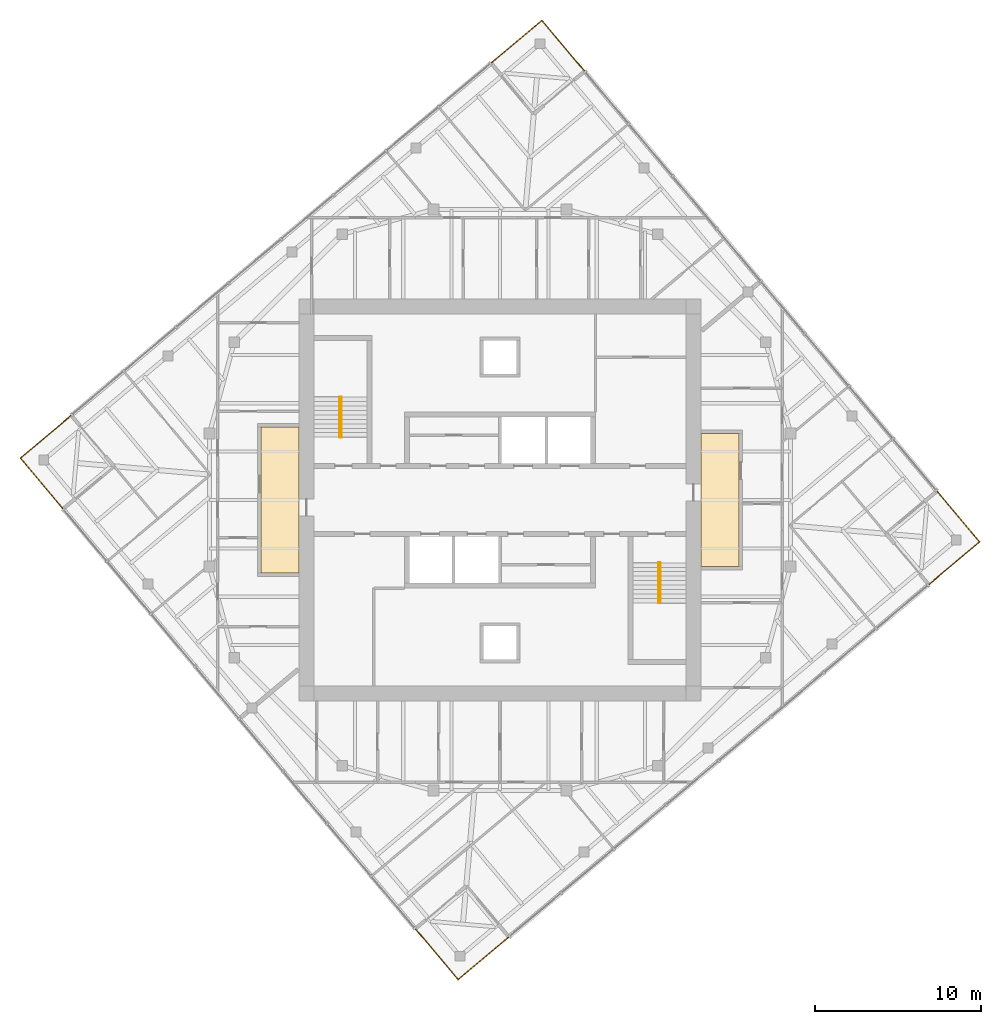
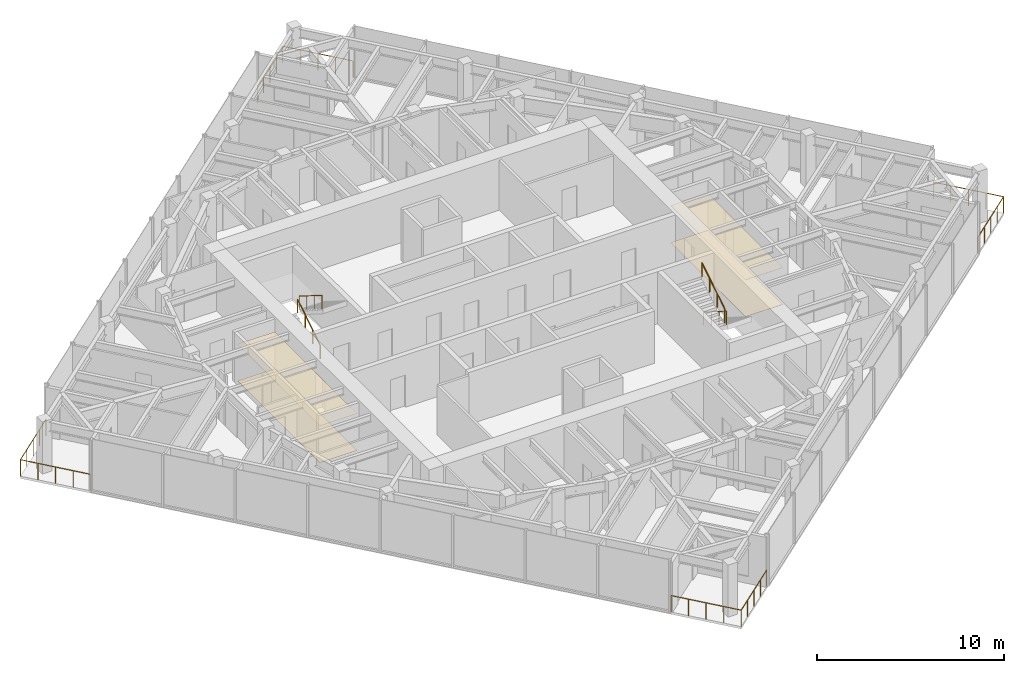
# One storey, part 12 of 12: 8 railings, 4 coverings, 2 elements without a shape of their own.
"""IFC4 building model written with IfcOpenShell, lengths in metres."""

from ifc_helpers import new_model, si_unit, direction, frame, origin, origin_2d, place, context, subcontext, project, spatial, polyline, circle, outline, extrude, material, layer, layer_set, type_object, element, aggregate, save


model = new_model("IFC4")

# Units and contexts
model_context = context("Model", 3, precision=1e-05, world=origin(), true_north=direction((0.0, 1.0)))
body_context = subcontext(model_context, "Body", "Model", "MODEL_VIEW")
ifc_project = project(units=[si_unit("LENGTHUNIT", "METRE"), si_unit("AREAUNIT", "SQUARE_METRE"), si_unit("VOLUMEUNIT", "CUBIC_METRE"), si_unit("PLANEANGLEUNIT", "RADIAN"), si_unit("MASSUNIT", "GRAM", prefix="KILO")], contexts=[model_context])

# Site, building, storey
site_placement = place(None, origin())
site = spatial("IfcSite", under=ifc_project, at=site_placement, CompositionType="ELEMENT")
building_placement = place(site_placement, origin())
building = spatial("IfcBuilding", under=site, at=building_placement, Name="Torsade Residences", CompositionType="ELEMENT")
storey_placement = place(building_placement, frame((0.0, 0.0, 279.39990234375)))
storey = spatial("IfcBuildingStorey", under=building, at=storey_placement, Name="L77", CompositionType="ELEMENT", Elevation=279.39990234375)

# Coverings
ifc_material_1 = material(Name="Nylon carpet tile on underlay", Category="textile")
ifc_layer_1 = layer(ifc_material_1, 0.010009765625)
ifc_layer_set_1 = layer_set([ifc_layer_1], Name="Nylon carpet tile on underlay")
covering_type_1 = type_object("IfcCoveringType", Name="CORRIDOR CARPET TILE 10", PredefinedType="FLOORING", material=ifc_layer_set_1)
covering_1_placement = place(storey_placement, origin())
element("IfcCovering", 1, at=covering_1_placement, inside=storey, type_object=covering_type_1, Name="Corridor carpet L77", PredefinedType="FLOORING", context=body_context, shape_type="SweptSolid", body=[
    extrude(outline(polyline([(54.39990234375, 26.0), (54.39990234375, 34.0), (52.10009765625, 34.0), (52.10009765625, 26.0), (54.39990234375, 26.0)])), origin(), (0.0, 0.0, 1.0), 0.010009765625),
])
covering_2_placement = place(storey_placement, origin())
element("IfcCovering", 2, at=covering_2_placement, inside=storey, type_object=covering_type_1, Name="Corridor carpet west L77", PredefinedType="FLOORING", context=body_context, shape_type="SweptSolid", body=[
    extrude(outline(polyline([(27.89990234375, 25.60009765625), (27.89990234375, 34.39990234375), (25.60009765625, 34.39990234375), (25.60009765625, 25.60009765625), (27.89990234375, 25.60009765625)])), origin(), (0.0, 0.0, 1.0), 0.010009765625),
])
ifc_material_2 = material(Name="Plasterboard on suspended steel grid", Category="steel")
ifc_layer_2 = layer(ifc_material_2, 0.012939453125)
ifc_layer_set_2 = layer_set([ifc_layer_2], Name="Plasterboard on suspended steel grid")
covering_type_2 = type_object("IfcCoveringType", Name="CORRIDOR SUSPENDED CEILING 13", PredefinedType="CEILING", material=ifc_layer_set_2)
covering_3_placement = place(storey_placement, frame((0.0, 0.0, 2.400146484375)))
element("IfcCovering", 3, at=covering_3_placement, inside=storey, type_object=covering_type_2, Name="Corridor ceiling L77", PredefinedType="CEILING", context=body_context, shape_type="SweptSolid", body=[
    extrude(outline(polyline([(54.39990234375, 26.0), (54.39990234375, 34.0), (52.10009765625, 34.0), (52.10009765625, 26.0), (54.39990234375, 26.0)])), origin(), (0.0, 0.0, 1.0), 0.012939453125),
])
covering_4_placement = place(storey_placement, frame((0.0, 0.0, 2.400146484375)))
element("IfcCovering", 4, at=covering_4_placement, inside=storey, type_object=covering_type_2, Name="Corridor ceiling west L77", PredefinedType="CEILING", context=body_context, shape_type="SweptSolid", body=[
    extrude(outline(polyline([(27.89990234375, 25.60009765625), (27.89990234375, 34.39990234375), (25.60009765625, 34.39990234375), (25.60009765625, 25.60009765625), (27.89990234375, 25.60009765625)])), origin(), (0.0, 0.0, 1.0), 0.012939453125),
])

# Stair, railings
ifc_material_3 = material(Name="Precast concrete 40 MPa", Category="concrete")
stair_type = type_object("IfcStairType", Name="HALF-TURN FIRE STAIR 1500x3400", PredefinedType="HALF_TURN_STAIR", material=ifc_material_3)
stair_1_placement = place(storey_placement, origin())
stair_1 = element("IfcStair", 5, at=stair_1_placement, inside=storey, type_object=stair_type, Name="Stair ST1 L77", PredefinedType="HALF_TURN_STAIR")
ifc_material_4 = material(Name="Steel handrail", Category="steel")
railing_type_1 = type_object("IfcRailingType", Name="STAIR HANDRAIL 900", PredefinedType="HANDRAIL", material=ifc_material_4)
railing_1_placement = place(storey_placement, frame((30.35009765625, 33.780029296875, 0.170166015625)))
railing_1 = element("IfcRailing", 6, at=railing_1_placement, type_object=railing_type_1, Name="Handrail ST1 flight 1 L77", PredefinedType="HANDRAIL", context=body_context, shape_type="SweptSolid", body=[
    extrude(circle(Radius=0.02392578125, at=origin_2d()), frame((0.0, 0.0, 0.8759765625), z_axis=(0.0, 0.846221481393, 0.532831309544), x_axis=(-1.0, 0.0, 0.0)), (0.0, 0.0, 1.0), 2.87158203125),
    extrude(circle(Radius=0.02099609375, at=origin_2d()), origin(), (0.0, 0.0, 1.0), 0.851806640625),
    extrude(circle(Radius=0.02099609375, at=origin_2d()), frame((0.0, 0.81005859375, 0.510009765625)), (0.0, 0.0, 1.0), 0.851806640625),
    extrude(circle(Radius=0.02099609375, at=origin_2d()), frame((0.0, 1.619873046875, 1.02001953125)), (0.0, 0.0, 1.0), 0.851806640625),
    extrude(circle(Radius=0.02099609375, at=origin_2d()), frame((0.0, 2.429931640625, 1.530029296875)), (0.0, 0.0, 1.0), 0.851806640625),
])
railing_2_placement = place(storey_placement, frame((30.449951171875, 36.2099609375, 1.8701171875)))
railing_2 = element("IfcRailing", 7, at=railing_2_placement, type_object=railing_type_1, Name="Handrail ST1 flight 2 L77", PredefinedType="HANDRAIL", context=body_context, shape_type="SweptSolid", body=[
    extrude(circle(Radius=0.02392578125, at=origin_2d()), frame((0.0, 0.0, 0.8759765625), z_axis=(0.0, -0.846221481393, 0.532831309544), x_axis=(1.0, 0.0, 0.0)), (0.0, 0.0, 1.0), 2.87158203125),
    extrude(circle(Radius=0.02099609375, at=origin_2d()), origin(), (0.0, 0.0, 1.0), 0.851806640625),
    extrude(circle(Radius=0.02099609375, at=origin_2d()), frame((0.0, -0.81005859375, 0.510009765625)), (0.0, 0.0, 1.0), 0.851806640625),
    extrude(circle(Radius=0.02099609375, at=origin_2d()), frame((0.0, -1.619873046875, 1.02001953125)), (0.0, 0.0, 1.0), 0.851806640625),
    extrude(circle(Radius=0.02099609375, at=origin_2d()), frame((0.0, -2.429931640625, 1.530029296875)), (0.0, 0.0, 1.0), 0.851806640625),
])
aggregate(stair_1, [railing_1, railing_2])

stair_2_placement = place(storey_placement, origin())
stair_2 = element("IfcStair", 8, at=stair_2_placement, inside=storey, type_object=stair_type, Name="Stair ST2 L77", PredefinedType="HALF_TURN_STAIR")
railing_3_placement = place(storey_placement, frame((49.64990234375, 26.219970703125, 0.170166015625)))
railing_3 = element("IfcRailing", 9, at=railing_3_placement, type_object=railing_type_1, Name="Handrail ST2 flight 1 L77", PredefinedType="HANDRAIL", context=body_context, shape_type="SweptSolid", body=[
    extrude(circle(Radius=0.02392578125, at=origin_2d()), frame((0.0, 0.0, 0.8759765625), z_axis=(0.0, -0.846221481393, 0.532831309544), x_axis=(1.0, 0.0, 0.0)), (0.0, 0.0, 1.0), 2.87158203125),
    extrude(circle(Radius=0.02099609375, at=origin_2d()), origin(), (0.0, 0.0, 1.0), 0.851806640625),
    extrude(circle(Radius=0.02099609375, at=origin_2d()), frame((0.0, -0.81005859375, 0.510009765625)), (0.0, 0.0, 1.0), 0.851806640625),
    extrude(circle(Radius=0.02099609375, at=origin_2d()), frame((0.0, -1.619873046875, 1.02001953125)), (0.0, 0.0, 1.0), 0.851806640625),
    extrude(circle(Radius=0.02099609375, at=origin_2d()), frame((0.0, -2.429931640625, 1.530029296875)), (0.0, 0.0, 1.0), 0.851806640625),
])
railing_4_placement = place(storey_placement, frame((49.550048828125, 23.7900390625, 1.8701171875)))
railing_4 = element("IfcRailing", 10, at=railing_4_placement, type_object=railing_type_1, Name="Handrail ST2 flight 2 L77", PredefinedType="HANDRAIL", context=body_context, shape_type="SweptSolid", body=[
    extrude(circle(Radius=0.02392578125, at=origin_2d()), frame((0.0, 0.0, 0.8759765625), z_axis=(0.0, 0.846221481393, 0.532831309544), x_axis=(-1.0, 0.0, 0.0)), (0.0, 0.0, 1.0), 2.87158203125),
    extrude(circle(Radius=0.02099609375, at=origin_2d()), origin(), (0.0, 0.0, 1.0), 0.851806640625),
    extrude(circle(Radius=0.02099609375, at=origin_2d()), frame((0.0, 0.81005859375, 0.510009765625)), (0.0, 0.0, 1.0), 0.851806640625),
    extrude(circle(Radius=0.02099609375, at=origin_2d()), frame((0.0, 1.619873046875, 1.02001953125)), (0.0, 0.0, 1.0), 0.851806640625),
    extrude(circle(Radius=0.02099609375, at=origin_2d()), frame((0.0, 2.429931640625, 1.530029296875)), (0.0, 0.0, 1.0), 0.851806640625),
])
aggregate(stair_2, [railing_3, railing_4])

# Railings
ifc_material_5 = material(Name="Laminated glass balustrade", Category="glass")
railing_type_2 = type_object("IfcRailingType", Name="TERRACE GLASS BALUSTRADE 1100", PredefinedType="BALUSTRADE", material=ifc_material_5)
railing_5_placement = place(storey_placement, frame((65.81689453125, 24.902099609375, 0.0)))
element("IfcRailing", 11, at=railing_5_placement, inside=storey, type_object=railing_type_2, Name="Terrace balustrade SE L77", PredefinedType="BALUSTRADE", context=body_context, shape_type="SweptSolid", body=[
    extrude(circle(Radius=0.02392578125, at=origin_2d()), frame((0.0, 0.0, 1.076171875), z_axis=(0.766060656284, 0.642768287094, 0.0), x_axis=(-0.642768287094, 0.766060656284, 0.0)), (0.0, 0.0, 1.0), 4.0),
    extrude(circle(Radius=0.02392578125, at=origin_2d()), frame((3.064208984375, 2.571044921875, 1.076171875), z_axis=(-0.642804103796, 0.766030602615, 0.0), x_axis=(-0.766030602615, -0.642804103796, 0.0)), (0.0, 0.0, 1.0), 4.0),
    extrude(circle(Radius=0.02099609375, at=origin_2d()), origin(), (0.0, 0.0, 1.0), 1.052001953125),
    extrude(circle(Radius=0.02099609375, at=origin_2d()), frame((0.76611328125, 0.642822265625, 0.0)), (0.0, 0.0, 1.0), 1.052001953125),
    extrude(circle(Radius=0.02099609375, at=origin_2d()), frame((1.5322265625, 1.28564453125, 0.0)), (0.0, 0.0, 1.0), 1.052001953125),
    extrude(circle(Radius=0.02099609375, at=origin_2d()), frame((2.298095703125, 1.92822265625, 0.0)), (0.0, 0.0, 1.0), 1.052001953125),
    extrude(circle(Radius=0.02099609375, at=origin_2d()), frame((3.064208984375, 2.571044921875, 0.0)), (0.0, 0.0, 1.0), 1.052001953125),
    extrude(circle(Radius=0.02099609375, at=origin_2d()), frame((2.42138671875, 3.337158203125, 0.0)), (0.0, 0.0, 1.0), 1.052001953125),
    extrude(circle(Radius=0.02099609375, at=origin_2d()), frame((1.778564453125, 4.10302734375, 0.0)), (0.0, 0.0, 1.0), 1.052001953125),
    extrude(circle(Radius=0.02099609375, at=origin_2d()), frame((1.1357421875, 4.869140625, 0.0)), (0.0, 0.0, 1.0), 1.052001953125),
    extrude(circle(Radius=0.02099609375, at=origin_2d()), frame((0.492919921875, 5.63525390625, 0.0)), (0.0, 0.0, 1.0), 1.052001953125),
])
railing_6_placement = place(storey_placement, frame((45.097900390625, 55.81689453125, 0.0)))
element("IfcRailing", 12, at=railing_6_placement, inside=storey, type_object=railing_type_2, Name="Terrace balustrade NE L77", PredefinedType="BALUSTRADE", context=body_context, shape_type="SweptSolid", body=[
    extrude(circle(Radius=0.02392578125, at=origin_2d()), frame((0.0, 0.0, 1.076171875), z_axis=(-0.642768287094, 0.766060656284, 0.0), x_axis=(-0.766060656284, -0.642768287094, 0.0)), (0.0, 0.0, 1.0), 4.0),
    extrude(circle(Radius=0.02392578125, at=origin_2d()), frame((-2.571044921875, 3.064208984375, 1.076171875), z_axis=(-0.766030602615, -0.642804103796, 0.0), x_axis=(0.642804103796, -0.766030602615, 0.0)), (0.0, 0.0, 1.0), 4.0),
    extrude(circle(Radius=0.02099609375, at=origin_2d()), origin(), (0.0, 0.0, 1.0), 1.052001953125),
    extrude(circle(Radius=0.02099609375, at=origin_2d()), frame((-0.642822265625, 0.76611328125, 0.0)), (0.0, 0.0, 1.0), 1.052001953125),
    extrude(circle(Radius=0.02099609375, at=origin_2d()), frame((-1.28564453125, 1.5322265625, 0.0)), (0.0, 0.0, 1.0), 1.052001953125),
    extrude(circle(Radius=0.02099609375, at=origin_2d()), frame((-1.92822265625, 2.298095703125, 0.0)), (0.0, 0.0, 1.0), 1.052001953125),
    extrude(circle(Radius=0.02099609375, at=origin_2d()), frame((-2.571044921875, 3.064208984375, 0.0)), (0.0, 0.0, 1.0), 1.052001953125),
    extrude(circle(Radius=0.02099609375, at=origin_2d()), frame((-3.337158203125, 2.42138671875, 0.0)), (0.0, 0.0, 1.0), 1.052001953125),
    extrude(circle(Radius=0.02099609375, at=origin_2d()), frame((-4.10302734375, 1.778564453125, 0.0)), (0.0, 0.0, 1.0), 1.052001953125),
    extrude(circle(Radius=0.02099609375, at=origin_2d()), frame((-4.869140625, 1.1357421875, 0.0)), (0.0, 0.0, 1.0), 1.052001953125),
    extrude(circle(Radius=0.02099609375, at=origin_2d()), frame((-5.63525390625, 0.492919921875, 0.0)), (0.0, 0.0, 1.0), 1.052001953125),
])
railing_7_placement = place(storey_placement, frame((14.18310546875, 35.097900390625, 0.0)))
element("IfcRailing", 13, at=railing_7_placement, inside=storey, type_object=railing_type_2, Name="Terrace balustrade NW L77", PredefinedType="BALUSTRADE", context=body_context, shape_type="SweptSolid", body=[
    extrude(circle(Radius=0.02392578125, at=origin_2d()), frame((0.0, 0.0, 1.076171875), z_axis=(-0.766060656284, -0.642768287094, 0.0), x_axis=(0.642768287094, -0.766060656284, 0.0)), (0.0, 0.0, 1.0), 4.0),
    extrude(circle(Radius=0.02392578125, at=origin_2d()), frame((-3.064208984375, -2.571044921875, 1.076171875), z_axis=(0.642804103796, -0.766030602615, 0.0), x_axis=(0.766030602615, 0.642804103796, 0.0)), (0.0, 0.0, 1.0), 4.0),
    extrude(circle(Radius=0.02099609375, at=origin_2d()), origin(), (0.0, 0.0, 1.0), 1.052001953125),
    extrude(circle(Radius=0.02099609375, at=origin_2d()), frame((-0.76611328125, -0.642822265625, 0.0)), (0.0, 0.0, 1.0), 1.052001953125),
    extrude(circle(Radius=0.02099609375, at=origin_2d()), frame((-1.5322265625, -1.28564453125, 0.0)), (0.0, 0.0, 1.0), 1.052001953125),
    extrude(circle(Radius=0.02099609375, at=origin_2d()), frame((-2.298095703125, -1.92822265625, 0.0)), (0.0, 0.0, 1.0), 1.052001953125),
    extrude(circle(Radius=0.02099609375, at=origin_2d()), frame((-3.064208984375, -2.571044921875, 0.0)), (0.0, 0.0, 1.0), 1.052001953125),
    extrude(circle(Radius=0.02099609375, at=origin_2d()), frame((-2.42138671875, -3.337158203125, 0.0)), (0.0, 0.0, 1.0), 1.052001953125),
    extrude(circle(Radius=0.02099609375, at=origin_2d()), frame((-1.778564453125, -4.10302734375, 0.0)), (0.0, 0.0, 1.0), 1.052001953125),
    extrude(circle(Radius=0.02099609375, at=origin_2d()), frame((-1.1357421875, -4.869140625, 0.0)), (0.0, 0.0, 1.0), 1.052001953125),
    extrude(circle(Radius=0.02099609375, at=origin_2d()), frame((-0.492919921875, -5.63525390625, 0.0)), (0.0, 0.0, 1.0), 1.052001953125),
])
railing_8_placement = place(storey_placement, frame((34.902099609375, 4.18310546875, 0.0)))
element("IfcRailing", 14, at=railing_8_placement, inside=storey, type_object=railing_type_2, Name="Terrace balustrade SW L77", PredefinedType="BALUSTRADE", context=body_context, shape_type="SweptSolid", body=[
    extrude(circle(Radius=0.02392578125, at=origin_2d()), frame((0.0, 0.0, 1.076171875), z_axis=(0.642768287094, -0.766060656284, 0.0), x_axis=(0.766060656284, 0.642768287094, 0.0)), (0.0, 0.0, 1.0), 4.0),
    extrude(circle(Radius=0.02392578125, at=origin_2d()), frame((2.571044921875, -3.064208984375, 1.076171875), z_axis=(0.766030602615, 0.642804103796, 0.0), x_axis=(-0.642804103796, 0.766030602615, 0.0)), (0.0, 0.0, 1.0), 4.0),
    extrude(circle(Radius=0.02099609375, at=origin_2d()), origin(), (0.0, 0.0, 1.0), 1.052001953125),
    extrude(circle(Radius=0.02099609375, at=origin_2d()), frame((0.642822265625, -0.76611328125, 0.0)), (0.0, 0.0, 1.0), 1.052001953125),
    extrude(circle(Radius=0.02099609375, at=origin_2d()), frame((1.28564453125, -1.5322265625, 0.0)), (0.0, 0.0, 1.0), 1.052001953125),
    extrude(circle(Radius=0.02099609375, at=origin_2d()), frame((1.92822265625, -2.298095703125, 0.0)), (0.0, 0.0, 1.0), 1.052001953125),
    extrude(circle(Radius=0.02099609375, at=origin_2d()), frame((2.571044921875, -3.064208984375, 0.0)), (0.0, 0.0, 1.0), 1.052001953125),
    extrude(circle(Radius=0.02099609375, at=origin_2d()), frame((3.337158203125, -2.42138671875, 0.0)), (0.0, 0.0, 1.0), 1.052001953125),
    extrude(circle(Radius=0.02099609375, at=origin_2d()), frame((4.10302734375, -1.778564453125, 0.0)), (0.0, 0.0, 1.0), 1.052001953125),
    extrude(circle(Radius=0.02099609375, at=origin_2d()), frame((4.869140625, -1.1357421875, 0.0)), (0.0, 0.0, 1.0), 1.052001953125),
    extrude(circle(Radius=0.02099609375, at=origin_2d()), frame((5.63525390625, -0.492919921875, 0.0)), (0.0, 0.0, 1.0), 1.052001953125),
])

save(model, "model.ifc")
